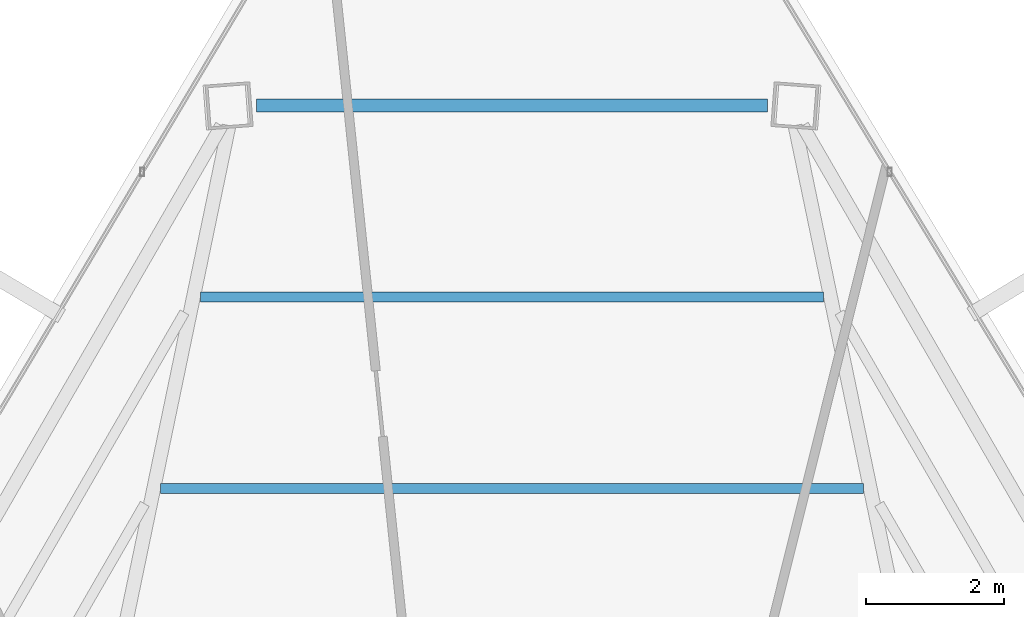
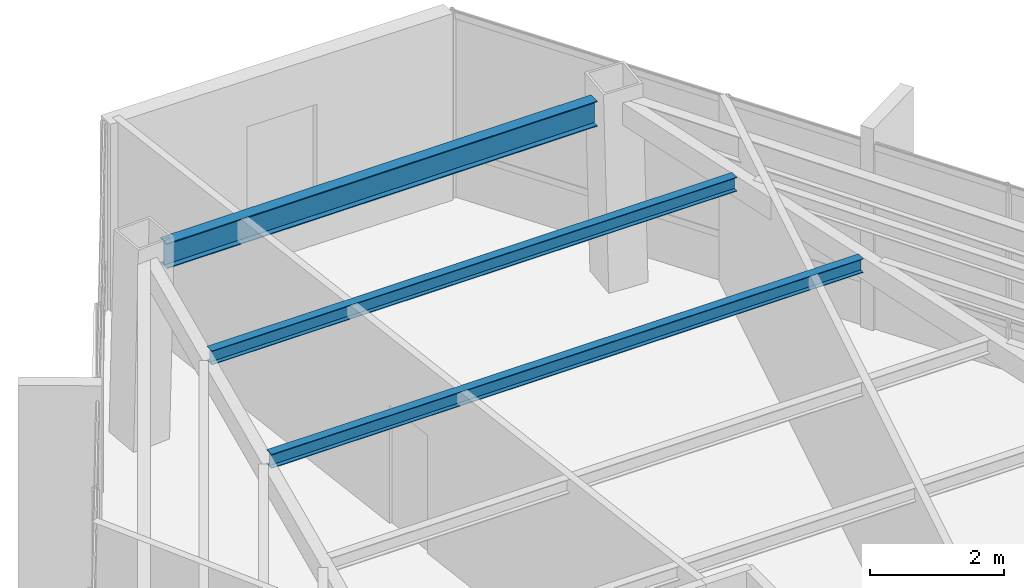
# One storey, part 32 of 42: 3 beams.
"""IFC4 building model written with IfcOpenShell, lengths in metres."""

from ifc_helpers import new_model, si_unit, direction, frame, origin, origin_2d, place, context, subcontext, project, spatial, i_section, extrude, source, transform, mapped, material, material_profile, profile_set, type_object, type_shapes, element, save


model = new_model("IFC4")

# Units and contexts
model_context = context("Model", 3, precision=1e-05, world=origin(), true_north=direction((0.0, 1.0)))
body_context = subcontext(model_context, "Body", "Model", "MODEL_VIEW")
ifc_project = project(units=[si_unit("LENGTHUNIT", "METRE"), si_unit("AREAUNIT", "SQUARE_METRE"), si_unit("VOLUMEUNIT", "CUBIC_METRE"), si_unit("PLANEANGLEUNIT", "RADIAN"), si_unit("MASSUNIT", "GRAM", prefix="KILO")], contexts=[model_context])

# Site, building, storey
site_placement = place(None, origin())
site = spatial("IfcSite", under=ifc_project, at=site_placement, CompositionType="ELEMENT")
building_placement = place(site_placement, origin())
building = spatial("IfcBuilding", under=site, at=building_placement, Name="Caelisora Broadcast Tower", CompositionType="ELEMENT")
storey_placement = place(building_placement, frame((0.0, 0.0, 244.449951171875)))
storey = spatial("IfcBuildingStorey", under=building, at=storey_placement, Name="L64", CompositionType="ELEMENT", Elevation=244.449951171875)

# Beams
ifc_material = material(Name="Steel Grade 350 (AS/NZS 3679.1)", Category="steel")
ifc_material_profile_1 = material_profile(ifc_material, i_section(OverallWidth=0.19091796875, OverallDepth=0.46044921875, WebThickness=0.010009765625, FlangeThickness=0.01611328125, at=origin_2d()), Name="Steel Grade 350 (AS/NZS 3679.1)")
ifc_profile_set_1 = profile_set([ifc_material_profile_1], Name="Steel Grade 350 (AS/NZS 3679.1)")
beam_type_1 = type_object("IfcBeamType", Name="PG06", PredefinedType="BEAM", material=ifc_profile_set_1)
shared_shape_1 = source(origin(), body_context, "Body", "SweptSolid", [
    extrude(i_section(OverallWidth=0.19091796875, OverallDepth=0.46044921875, WebThickness=0.010009765625, FlangeThickness=0.01611328125, at=origin_2d()), origin(), (0.0, 0.0, 1.0), 7.41259765625),
])
type_shapes(beam_type_1, [shared_shape_1])
beam_1_placement = place(storey_placement, frame((41.706298828125, 46.66015625, 3.169921875), z_axis=(-1.0, 0.0, 0.0), x_axis=(0.0, -1.0, 0.0)))
element("IfcBeam", 1, at=beam_1_placement, inside=storey, type_object=beam_type_1, Name="L64 beam PG06", PredefinedType="BEAM", context=body_context, shape_type="MappedRepresentation", body=[
    mapped(shared_shape_1, transform((0.0, 0.0, 0.0), scale=1.0)),
])
ifc_material_profile_2 = material_profile(ifc_material, i_section(OverallWidth=0.14599609375, OverallDepth=0.256103515625, WebThickness=0.00634765625, FlangeThickness=0.010986328125, at=origin_2d()), Name="Steel Grade 350 (AS/NZS 3679.1)")
ifc_profile_set_2 = profile_set([ifc_material_profile_2], Name="Steel Grade 350 (AS/NZS 3679.1)")
beam_type_2 = type_object("IfcBeamType", Name="SB04", PredefinedType="JOIST", material=ifc_profile_set_2)
shared_shape_2 = source(origin(), body_context, "Body", "SweptSolid", [
    extrude(i_section(OverallWidth=0.14599609375, OverallDepth=0.256103515625, WebThickness=0.00634765625, FlangeThickness=0.010986328125, at=origin_2d()), origin(), (0.0, 0.0, 1.0), 10.1943359375),
])
beam_2_placement = place(storey_placement, frame((43.09716796875, 41.106689453125, 3.27197265625), z_axis=(-1.0, 0.0, 0.0), x_axis=(0.0, -1.0, 0.0)))
element("IfcBeam", 2, at=beam_2_placement, inside=storey, type_object=beam_type_2, Name="L64 beam SB04", PredefinedType="JOIST", context=body_context, shape_type="MappedRepresentation", body=[
    mapped(shared_shape_2, transform((0.0, 0.0, 0.0), scale=1.0)),
])
shared_shape_3 = source(origin(), body_context, "Body", "SweptSolid", [
    extrude(i_section(OverallWidth=0.14599609375, OverallDepth=0.256103515625, WebThickness=0.00634765625, FlangeThickness=0.010986328125, at=origin_2d()), origin(), (0.0, 0.0, 1.0), 9.0419921875),
])
type_shapes(beam_type_2, [shared_shape_2, shared_shape_3])
beam_3_placement = place(storey_placement, frame((42.52099609375, 43.88330078125, 3.27197265625), z_axis=(-1.0, 0.0, 0.0), x_axis=(0.0, -1.0, 0.0)))
element("IfcBeam", 3, at=beam_3_placement, inside=storey, type_object=beam_type_2, Name="L64 beam SB04", PredefinedType="JOIST", context=body_context, shape_type="MappedRepresentation", body=[
    mapped(shared_shape_3, transform((0.0, 0.0, 0.0), scale=1.0)),
])

save(model, "model.ifc")
